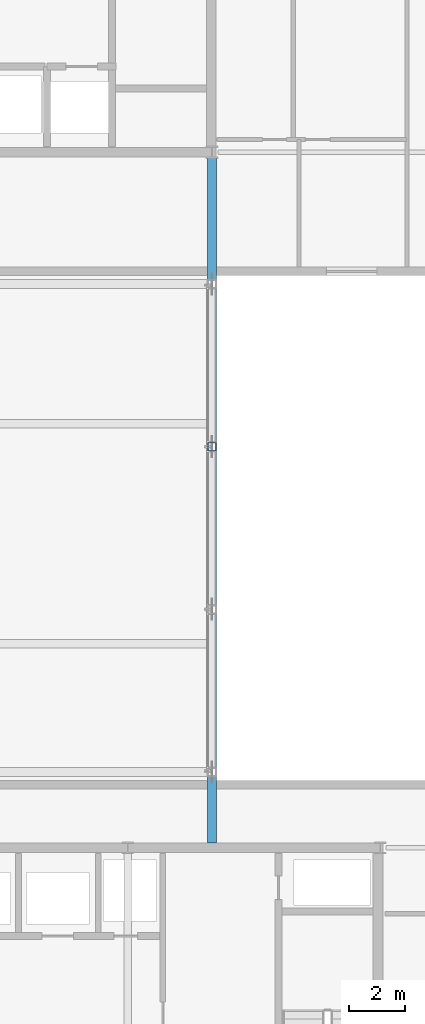
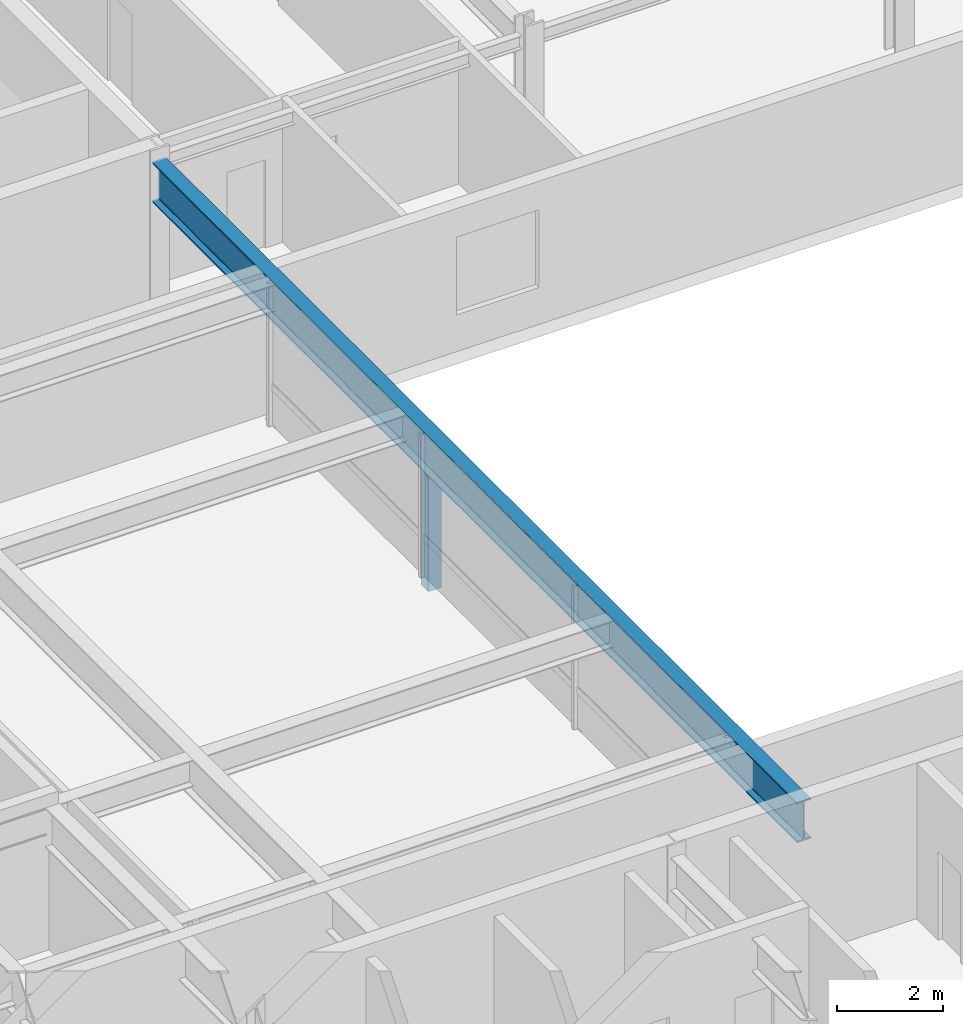
# One storey, part 11 of 36: 1 beam, 1 member.
"""IFC4 building model written with IfcOpenShell, lengths in metres."""

from ifc_helpers import new_model, si_unit, direction, frame, origin, origin_2d, place, context, subcontext, project, spatial, hollow_rectangle, i_section, extrude, material, material_profile, profile_set, type_object, element, save


model = new_model("IFC4")

# Units and contexts
model_context = context("Model", 3, precision=1e-05, world=origin(), true_north=direction((0.0, 1.0)))
body_context = subcontext(model_context, "Body", "Model", "MODEL_VIEW")
ifc_project = project(units=[si_unit("LENGTHUNIT", "METRE"), si_unit("AREAUNIT", "SQUARE_METRE"), si_unit("VOLUMEUNIT", "CUBIC_METRE"), si_unit("PLANEANGLEUNIT", "RADIAN"), si_unit("MASSUNIT", "GRAM", prefix="KILO")], contexts=[model_context])

# Site, building, storey
site_placement = place(None, origin())
site = spatial("IfcSite", under=ifc_project, at=site_placement, CompositionType="ELEMENT")
building_placement = place(site_placement, origin())
building = spatial("IfcBuilding", under=site, at=building_placement, Name="Korimba Cascade Residences", CompositionType="ELEMENT")
storey_placement = place(building_placement, frame((0.0, 0.0, 146.5)))
storey = spatial("IfcBuildingStorey", under=building, at=storey_placement, Name="L42", CompositionType="ELEMENT", Elevation=146.5)

# Beam
ifc_material = material(Name="Steel S460", Category="steel")
ifc_material_profile_1 = material_profile(ifc_material, i_section(OverallWidth=0.3076171875, OverallDepth=0.926513671875, WebThickness=0.01953125, FlangeThickness=0.031982421875, FilletRadius=0.01904296875, at=origin_2d()), Name="Steel S460")
ifc_profile_set_1 = profile_set([ifc_material_profile_1], Name="Steel S460")
beam_type = type_object("IfcBeamType", Name="BM-STL-UB914B", PredefinedType="BEAM", material=ifc_profile_set_1)
beam_placement = place(storey_placement, frame((112.10009765625, 30.574951171875, 2.8466796875), z_axis=(0.0, 1.0, 0.0), x_axis=(-1.0, 0.0, 0.0)))
element("IfcBeam", 1, at=beam_placement, inside=storey, type_object=beam_type, Name="L42 Rigid Mid-Bridge Truss Chord 6", PredefinedType="BEAM", context=body_context, shape_type="SweptSolid", body=[
    extrude(i_section(OverallWidth=0.3076171875, OverallDepth=0.926513671875, WebThickness=0.01953125, FlangeThickness=0.031982421875, FilletRadius=0.01904296875, at=origin_2d()), origin(), (0.0, 0.0, 1.0), 24.449951171875),
])

# Member
ifc_material_profile_2 = material_profile(ifc_material, hollow_rectangle(XDim=0.300048828125, YDim=0.300048828125, WallThickness=0.012451171875, InnerFilletRadius=0.012451171875, OuterFilletRadius=0.02490234375, at=origin_2d()), Name="Steel S460")
ifc_profile_set_2 = profile_set([ifc_material_profile_2], Name="Steel S460")
member_type = type_object("IfcMemberType", Name="MEM-BRG-STR300", PredefinedType="STRUT", material=ifc_profile_set_2)
member_placement = place(storey_placement, frame((112.10009765625, 44.699951171875, -0.2900390625), z_axis=(0.0, 0.0, 1.0), x_axis=(1.0, 0.0, 0.0)))
element("IfcMember", 2, at=member_placement, inside=storey, type_object=member_type, Name="L42 Mid-Bridge Warren Web Post E3", PredefinedType="STRUT", context=body_context, shape_type="SweptSolid", body=[
    extrude(hollow_rectangle(XDim=0.300048828125, YDim=0.300048828125, WallThickness=0.012451171875, InnerFilletRadius=0.012451171875, OuterFilletRadius=0.02490234375, at=origin_2d()), origin(), (0.0, 0.0, 1.0), 2.67333984375),
])

save(model, "model.ifc")
